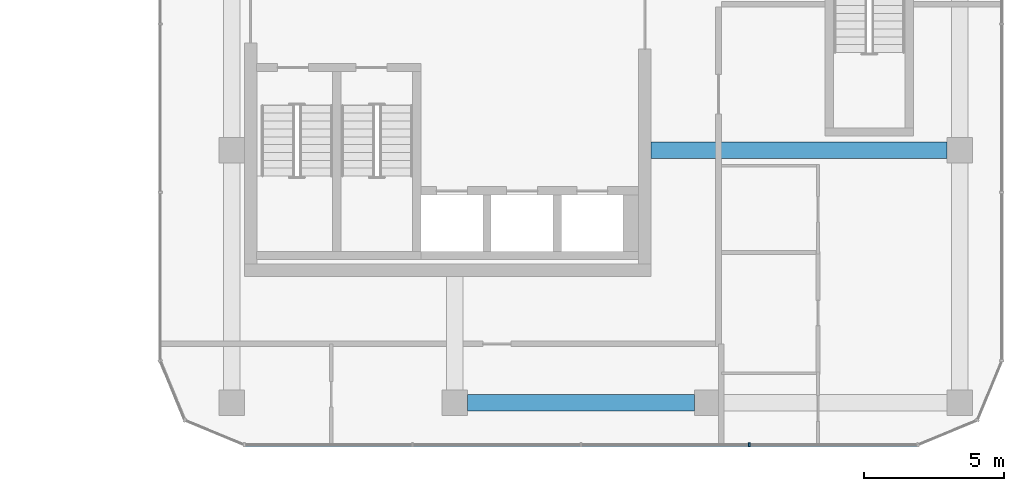
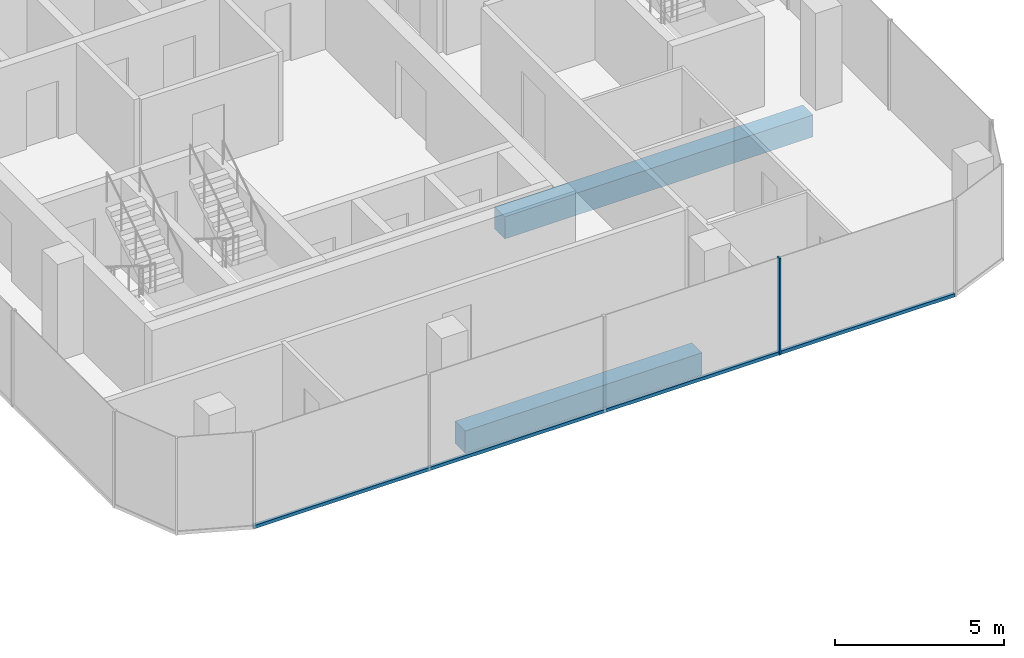
# One storey, part 8 of 23: 2 beams, 2 members, 1 element without a shape of its own.
"""IFC4 building model written with IfcOpenShell, lengths in metres."""

from ifc_helpers import new_model, si_unit, direction, frame, origin, origin_2d, place, context, subcontext, project, spatial, rectangle, extrude, material, layer, layer_set, material_profile, profile_set, type_object, element, aggregate, save


model = new_model("IFC4")

# Units and contexts
model_context = context("Model", 3, precision=1e-05, world=origin(), true_north=direction((0.0, 1.0)))
body_context = subcontext(model_context, "Body", "Model", "MODEL_VIEW")
ifc_project = project(units=[si_unit("LENGTHUNIT", "METRE"), si_unit("AREAUNIT", "SQUARE_METRE"), si_unit("VOLUMEUNIT", "CUBIC_METRE"), si_unit("PLANEANGLEUNIT", "RADIAN"), si_unit("MASSUNIT", "GRAM", prefix="KILO")], contexts=[model_context])

# Site, building, storey
site_placement = place(None, origin())
site = spatial("IfcSite", under=ifc_project, at=site_placement, CompositionType="ELEMENT")
building_placement = place(site_placement, origin())
building = spatial("IfcBuilding", under=site, at=building_placement, Name="Plateau Cross Towers", CompositionType="ELEMENT")
storey_placement = place(building_placement, frame((0.0, 0.0, 81.800048828125)))
storey = spatial("IfcBuildingStorey", under=building, at=storey_placement, Name="L20", CompositionType="ELEMENT", Elevation=81.800048828125)

# Beam
ifc_material_1 = material(Name="Concrete C60/75", Category="concrete")
ifc_material_profile_1 = material_profile(ifc_material_1, rectangle(XDim=0.60009765625, YDim=0.800048828125, at=origin_2d()), Name="RC 600x800")
ifc_profile_set_1 = profile_set([ifc_material_profile_1], Name="Concrete C60/75")
beam_type_1 = type_object("IfcBeamType", Name="Core beam RC 600x800", PredefinedType="BEAM", material=ifc_profile_set_1)
beam_1_placement = place(storey_placement, frame((89.5, 4.5, -0.650146484375), z_axis=(1.0, 0.0, 0.0), x_axis=(0.0, 1.0, 0.0)))
element("IfcBeam", 1, at=beam_1_placement, inside=storey, type_object=beam_type_1, Name="B-CB02@L20", PredefinedType="BEAM", context=body_context, shape_type="SweptSolid", body=[
    extrude(rectangle(XDim=0.60009765625, YDim=0.800048828125, at=origin_2d()), origin(), (0.0, 0.0, 1.0), 10.550048828125),
])

# Curtain wall, member
ifc_material_2 = material(Name="Dark low-iron glass", Category="glass")
ifc_layer = layer(ifc_material_2, 0.239990234375)
ifc_layer_set = layer_set([ifc_layer], Name="Dark low-iron glass")
curtain_wall_type = type_object("IfcCurtainWallType", Name="Curtain wall office unitised CW-F", PredefinedType="NOTDEFINED", material=ifc_layer_set)
curtain_wall_placement = place(storey_placement, origin())
curtain_wall = element("IfcCurtainWall", 2, at=curtain_wall_placement, inside=storey, type_object=curtain_wall_type, Name="ENV/B/L20/B750_-60", PredefinedType="NOTDEFINED")
ifc_material_3 = material(Name="Black anodised aluminium", Category="aluminium")
ifc_material_profile_2 = material_profile(ifc_material_3, rectangle(XDim=0.06005859375, YDim=0.139892578125, at=origin_2d()), Name="MULLION 60x140")
ifc_profile_set_2 = profile_set([ifc_material_profile_2], Name="Black anodised aluminium")
member_type_1 = type_object("IfcMemberType", Name="Mullion 60x140 office unitised", PredefinedType="MULLION", material=ifc_profile_set_2)
member_1_placement = place(storey_placement, frame((93.0, -6.0, -0.25), z_axis=(0.0, 0.0, 1.0), x_axis=(1.0, 0.0, 0.0)))
member_1 = element("IfcMember", 3, at=member_1_placement, type_object=member_type_1, Name="CW-F mullion 4", PredefinedType="MULLION", context=body_context, shape_type="SweptSolid", body=[
    extrude(rectangle(XDim=0.06005859375, YDim=0.139892578125, at=origin_2d()), origin(), (0.0, 0.0, 1.0), 3.5),
])

# Beam
ifc_material_profile_3 = material_profile(ifc_material_1, rectangle(XDim=0.60009765625, YDim=0.800048828125, at=origin_2d()), Name="RC 600x800")
ifc_profile_set_3 = profile_set([ifc_material_profile_3], Name="Concrete C60/75")
beam_type_2 = type_object("IfcBeamType", Name="Ring beam RC 600x800", PredefinedType="BEAM", material=ifc_profile_set_3)
beam_2_placement = place(storey_placement, frame((82.949951171875, -4.5, -0.650146484375), z_axis=(1.0, 0.0, 0.0), x_axis=(0.0, 1.0, 0.0)))
element("IfcBeam", 4, at=beam_2_placement, inside=storey, type_object=beam_type_2, Name="B-RB01@L20", PredefinedType="BEAM", context=body_context, shape_type="SweptSolid", body=[
    extrude(rectangle(XDim=0.60009765625, YDim=0.800048828125, at=origin_2d()), origin(), (0.0, 0.0, 1.0), 8.10009765625),
])

# Member
ifc_material_profile_4 = material_profile(ifc_material_3, rectangle(XDim=0.10009765625, YDim=0.1201171875, at=origin_2d()), Name="TRANSOM 100x120")
ifc_profile_set_4 = profile_set([ifc_material_profile_4], Name="Black anodised aluminium")
member_type_2 = type_object("IfcMemberType", Name="Transom 100x120 office unitised", PredefinedType="USERDEFINED", material=ifc_profile_set_4)
member_2_placement = place(storey_placement, frame((75.0, -6.0, -0.18994140625), z_axis=(1.0, 0.0, 0.0), x_axis=(0.0, 1.0, 0.0)))
member_2 = element("IfcMember", 5, at=member_2_placement, type_object=member_type_2, Name="CW-F transom", ObjectType="TRANSOM", PredefinedType="USERDEFINED", context=body_context, shape_type="SweptSolid", body=[
    extrude(rectangle(XDim=0.10009765625, YDim=0.1201171875, at=origin_2d()), origin(), (0.0, 0.0, 1.0), 24.0),
])

aggregate(curtain_wall, [member_1, member_2])

save(model, "model.ifc")
